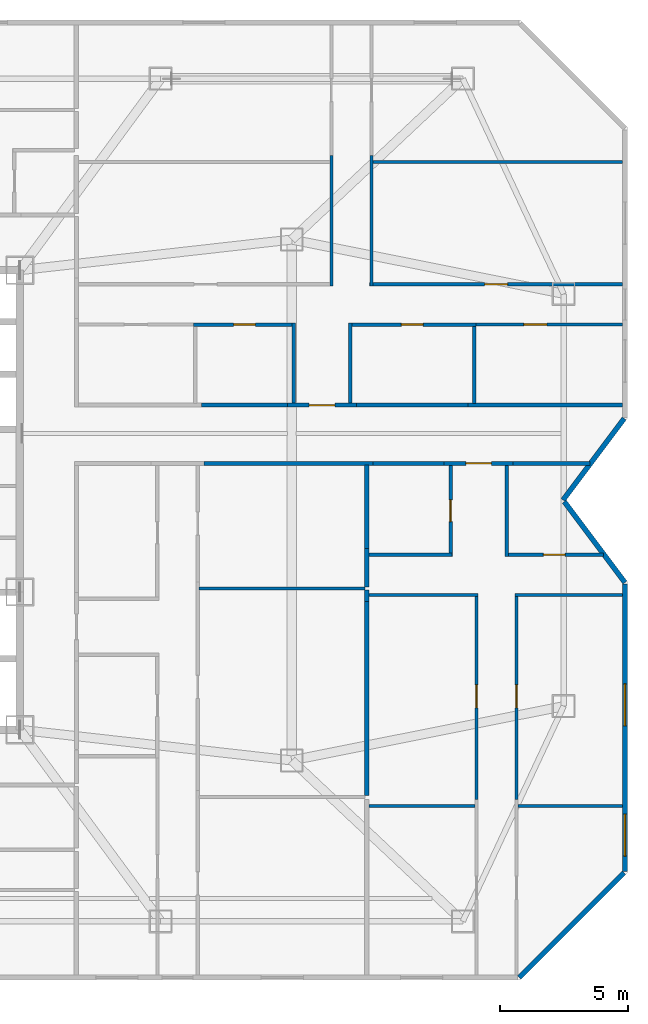
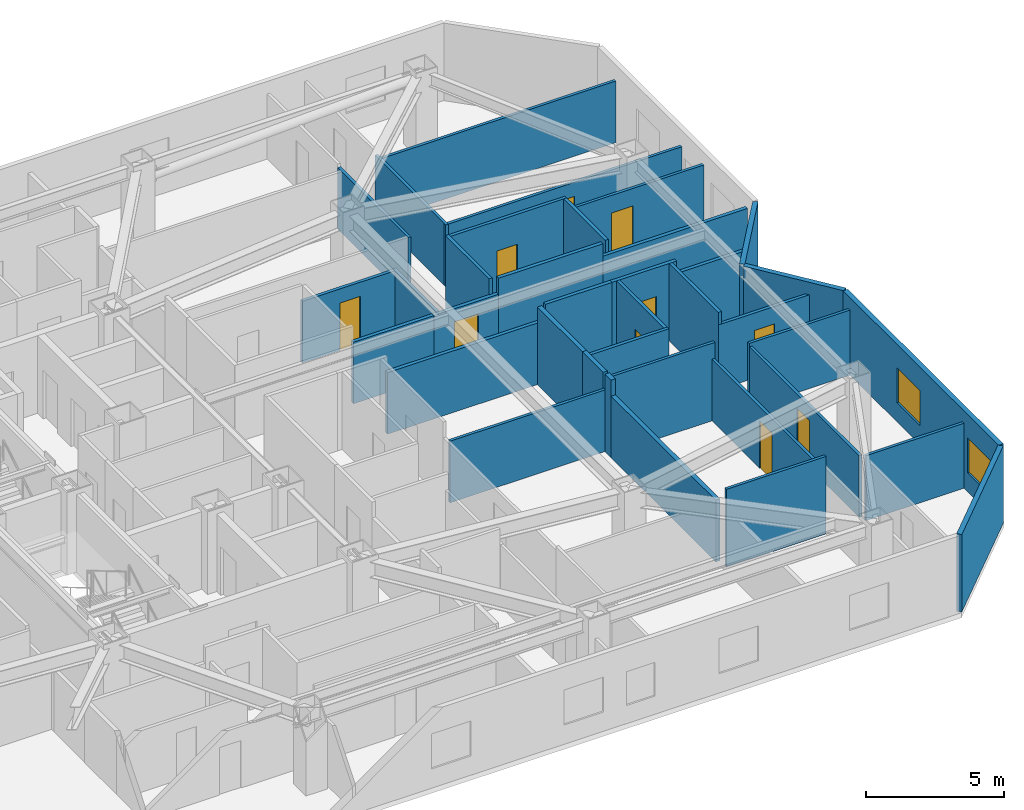
# One storey, part 9 of 11: 37 walls, 10 doors, 2 windows, 12 openings.
"""IFC4 building model written with IfcOpenShell, lengths in metres."""

from ifc_helpers import new_model, si_unit, direction, frame, frame_2d, origin, place, context, subcontext, project, spatial, rectangle, extrude, material, layer, layer_set, type_object, element, fill, save


model = new_model("IFC4")

# Units and contexts
model_context = context("Model", 3, precision=1e-05, world=origin(), true_north=direction((0.0, 1.0)))
body_context = subcontext(model_context, "Body", "Model", "MODEL_VIEW")
ifc_project = project(units=[si_unit("LENGTHUNIT", "METRE"), si_unit("AREAUNIT", "SQUARE_METRE"), si_unit("VOLUMEUNIT", "CUBIC_METRE"), si_unit("PLANEANGLEUNIT", "RADIAN"), si_unit("MASSUNIT", "GRAM", prefix="KILO")], contexts=[model_context])

# Site, building, storey
site_placement = place(None, origin())
site = spatial("IfcSite", under=ifc_project, at=site_placement, CompositionType="ELEMENT")
building_placement = place(site_placement, origin())
building = spatial("IfcBuilding", under=site, at=building_placement, Name="Khamvora Tower", CompositionType="ELEMENT")
storey_placement = place(building_placement, frame((0.0, 0.0, 174.14990234375)))
storey = spatial("IfcBuildingStorey", under=building, at=storey_placement, Name="L44", CompositionType="ELEMENT", Elevation=174.14990234375)

# Wall
ifc_material_1 = material(Name="Fire-Rated Drywall and Steel Stud", Category="steel")
ifc_layer_1 = layer(ifc_material_1, 0.14990234375)
ifc_layer_set_1 = layer_set([ifc_layer_1], Name="Fire-Rated Drywall and Steel Stud")
wall_type_1 = type_object("IfcWallType", Name="WAL-CORR-150", PredefinedType="STANDARD", material=ifc_layer_set_1)
wall_1_placement = place(storey_placement, frame((53.23388671875, 29.43505859375, 0.0), z_axis=(0.0, 0.0, 1.0), x_axis=(-1.0, 0.0, 0.0)))
element("IfcWall", 1, at=wall_1_placement, inside=storey, type_object=wall_type_1, Name="L44 interior partition wall 031", PredefinedType="STANDARD", context=body_context, shape_type="SweptSolid", body=[
    extrude(rectangle(XDim=6.616943359375, YDim=0.14990234375, at=frame_2d((3.30859375, 0.0))), origin(), (0.0, 0.0, 1.0), 2.72509765625),
])

# Wall, opening, door
wall_2_placement = place(storey_placement, frame((58.718994140625, 29.43505859375, 0.0), z_axis=(0.0, 0.0, 1.0), x_axis=(-1.0, 0.0, 0.0)))
wall_2 = element("IfcWall", 2, at=wall_2_placement, inside=storey, type_object=wall_type_1, Name="L44 interior partition wall 032", PredefinedType="STANDARD", context=body_context, shape_type="SweptSolid", body=[
    extrude(rectangle(XDim=2.697998046875, YDim=0.14990234375, at=frame_2d((1.34912109375, 0.0))), origin(), (0.0, 0.0, 1.0), 3.43017578125),
])
opening_1_placement = place(wall_2_placement, frame((0.84912109375, 0.0, 0.0)))
opening_1 = element("IfcOpeningElement", 3, at=opening_1_placement, cuts=wall_2, Name="Opening D-U1", PredefinedType="OPENING", context=body_context, shape_type="SweptSolid", body=[
    extrude(rectangle(XDim=1.0, YDim=2.14990234375, at=frame_2d((0.5, 1.074951171875))), frame((0.0, 0.0849609375, 0.0), z_axis=(0.0, -1.0, 0.0), x_axis=(1.0, 0.0, 0.0)), (0.0, 0.0, 1.0), 0.169921875),
])
ifc_material_2 = material(Name="Powder-Coated Steel and Hardwood Leaf", Category="steel")
door_type_1 = type_object("IfcDoorType", Name="DOR-UNIT-1000", OperationType="NOTDEFINED", PredefinedType="DOOR", material=ifc_material_2)
door_1_placement = place(opening_1_placement, origin())
door_1 = element("IfcDoor", 4, at=door_1_placement, inside=storey, type_object=door_type_1, Name="L44 interior door COR-44EBH", OperationType="SINGLE_SWING_LEFT", OverallHeight=2.14990234375, OverallWidth=1.0, PredefinedType="DOOR", context=body_context, shape_type="SweptSolid", body=[
    extrude(rectangle(XDim=1.0, YDim=2.14990234375, at=frame_2d((0.5, 1.074951171875))), frame((0.0, 0.02490234375, 0.0), z_axis=(0.0, -1.0, 0.0), x_axis=(1.0, 0.0, 0.0)), (0.0, 0.0, 1.0), 0.050048828125),
])
fill(opening_1, door_1)

# Walls
wall_3_placement = place(storey_placement, frame((61.72509765625, 29.43505859375, 0.0), z_axis=(0.0, 0.0, 1.0), x_axis=(-1.0, 0.0, 0.0)))
element("IfcWall", 5, at=wall_3_placement, inside=storey, type_object=wall_type_1, Name="L44 interior partition wall 033", PredefinedType="STANDARD", context=body_context, shape_type="SweptSolid", body=[
    extrude(rectangle(XDim=3.006103515625, YDim=0.14990234375, at=frame_2d((1.5029296875, 0.0))), origin(), (0.0, 0.0, 1.0), 2.8759765625),
])
wall_4_placement = place(storey_placement, frame((56.02099609375, 29.43505859375, 0.0), z_axis=(0.0, 0.0, 1.0), x_axis=(-1.0, 0.0, 0.0)))
element("IfcWall", 6, at=wall_4_placement, inside=storey, type_object=wall_type_1, Name="L44 interior partition wall 034", PredefinedType="STANDARD", context=body_context, shape_type="SweptSolid", body=[
    extrude(rectangle(XDim=2.787109375, YDim=0.14990234375, at=frame_2d((1.3935546875, 0.0))), origin(), (0.0, 0.0, 1.0), 3.43017578125),
])
wall_5_placement = place(storey_placement, frame((56.950927734375, 31.715087890625, 0.0), z_axis=(0.0, 0.0, 1.0), x_axis=(1.0, 0.0, 0.0)))
element("IfcWall", 7, at=wall_5_placement, inside=storey, type_object=wall_type_1, Name="L44 interior partition wall 037", PredefinedType="STANDARD", context=body_context, shape_type="SweptSolid", body=[
    extrude(rectangle(XDim=6.05712890625, YDim=0.14990234375, at=frame_2d((3.028564453125, 0.0))), origin(), (0.0, 0.0, 1.0), 2.8759765625),
])

# Wall, opening, door
wall_6_placement = place(storey_placement, frame((49.885986328125, 31.715087890625, 0.0), z_axis=(0.0, 0.0, 1.0), x_axis=(1.0, 0.0, 0.0)))
wall_6 = element("IfcWall", 8, at=wall_6_placement, inside=storey, type_object=wall_type_1, Name="L44 interior partition wall 039", PredefinedType="STANDARD", context=body_context, shape_type="SweptSolid", body=[
    extrude(rectangle(XDim=2.697998046875, YDim=0.14990234375, at=frame_2d((1.34912109375, 0.0))), origin(), (0.0, 0.0, 1.0), 2.72509765625),
])
opening_2_placement = place(wall_6_placement, frame((0.84912109375, 0.0, 0.0)))
opening_2 = element("IfcOpeningElement", 9, at=opening_2_placement, cuts=wall_6, Name="Opening D-U1", PredefinedType="OPENING", context=body_context, shape_type="SweptSolid", body=[
    extrude(rectangle(XDim=1.0, YDim=2.14990234375, at=frame_2d((0.5, 1.074951171875))), frame((0.0, 0.0849609375, 0.0), z_axis=(0.0, -1.0, 0.0), x_axis=(1.0, 0.0, 0.0)), (0.0, 0.0, 1.0), 0.169921875),
])
door_2_placement = place(opening_2_placement, origin())
door_2 = element("IfcDoor", 10, at=door_2_placement, inside=storey, type_object=door_type_1, Name="L44 interior door COR-44ECH", OperationType="SINGLE_SWING_RIGHT", OverallHeight=2.14990234375, OverallWidth=1.0, PredefinedType="DOOR", context=body_context, shape_type="SweptSolid", body=[
    extrude(rectangle(XDim=1.0, YDim=2.14990234375, at=frame_2d((0.5, 1.074951171875))), frame((0.0, 0.02490234375, 0.0), z_axis=(0.0, -1.0, 0.0), x_axis=(1.0, 0.0, 0.0)), (0.0, 0.0, 1.0), 0.050048828125),
])
fill(opening_2, door_2)

# Walls
wall_7_placement = place(storey_placement, frame((46.51904296875, 31.715087890625, 0.0), z_axis=(0.0, 0.0, 1.0), x_axis=(1.0, 0.0, 0.0)))
element("IfcWall", 11, at=wall_7_placement, inside=storey, type_object=wall_type_1, Name="L44 interior partition wall 040", PredefinedType="STANDARD", context=body_context, shape_type="SweptSolid", body=[
    extrude(rectangle(XDim=3.366943359375, YDim=0.14990234375, at=frame_2d((1.68359375, 0.0))), origin(), (0.0, 0.0, 1.0), 2.72509765625),
])
wall_8_placement = place(storey_placement, frame((52.583984375, 31.715087890625, 0.0), z_axis=(0.0, 0.0, 1.0), x_axis=(1.0, 0.0, 0.0)))
element("IfcWall", 12, at=wall_8_placement, inside=storey, type_object=wall_type_1, Name="L44 interior partition wall 041", PredefinedType="STANDARD", context=body_context, shape_type="SweptSolid", body=[
    extrude(rectangle(XDim=4.366943359375, YDim=0.14990234375, at=frame_2d((2.18359375, 0.0))), origin(), (0.0, 0.0, 1.0), 3.43017578125),
])
ifc_material_3 = material(Name="Acoustic Double-Stud Fire Wall", Category="gypsum")
ifc_layer_2 = layer(ifc_material_3, 0.179931640625)
ifc_layer_set_2 = layer_set([ifc_layer_2], Name="Acoustic Double-Stud Fire Wall")
wall_type_2 = type_object("IfcWallType", Name="WAL-CORR-180", PredefinedType="STANDARD", material=ifc_layer_set_2)
wall_9_placement = place(storey_placement, frame((52.985107421875, 24.470947265625, 0.0), z_axis=(0.0, 0.0, 1.0), x_axis=(0.0, -1.0, 0.0)))
element("IfcWall", 13, at=wall_9_placement, inside=storey, type_object=wall_type_2, Name="L44 interior partition wall 109", PredefinedType="STANDARD", context=body_context, shape_type="SweptSolid", body=[
    extrude(rectangle(XDim=0.445068359375, YDim=0.179931640625, at=frame_2d((0.22265625, 0.0))), origin(), (0.0, 0.0, 1.0), 3.43017578125),
])
wall_10_placement = place(storey_placement, frame((52.985107421875, 24.02587890625, 0.0), z_axis=(0.0, 0.0, 1.0), x_axis=(0.0, -1.0, 0.0)))
element("IfcWall", 14, at=wall_10_placement, inside=storey, type_object=wall_type_2, Name="L44 interior partition wall 110", PredefinedType="STANDARD", context=body_context, shape_type="SweptSolid", body=[
    extrude(rectangle(XDim=7.593994140625, YDim=0.179931640625, at=frame_2d((3.796875, 0.0))), origin(), (0.0, 0.0, 1.0), 2.72509765625),
])
wall_11_placement = place(storey_placement, frame((52.985107421875, 26.10400390625, 0.0), z_axis=(0.0, 0.0, 1.0), x_axis=(0.0, -1.0, 0.0)))
element("IfcWall", 15, at=wall_11_placement, inside=storey, type_object=wall_type_2, Name="L44 interior partition wall 111", PredefinedType="STANDARD", context=body_context, shape_type="SweptSolid", body=[
    extrude(rectangle(XDim=1.5029296875, YDim=0.179931640625, at=frame_2d((0.75146484375, 0.0))), origin(), (0.0, 0.0, 1.0), 3.43017578125),
])
wall_12_placement = place(storey_placement, frame((52.985107421875, 29.367919921875, 0.0), z_axis=(0.0, 0.0, 1.0), x_axis=(0.0, -1.0, 0.0)))
element("IfcWall", 16, at=wall_12_placement, inside=storey, type_object=wall_type_2, Name="L44 interior partition wall 112", PredefinedType="STANDARD", context=body_context, shape_type="SweptSolid", body=[
    extrude(rectangle(XDim=3.263916015625, YDim=0.179931640625, at=frame_2d((1.6318359375, 0.0))), origin(), (0.0, 0.0, 1.0), 3.43017578125),
])
ifc_material_4 = material(Name="Precast concrete C40/50", Category="concrete")
ifc_layer_3 = layer(ifc_material_4, 0.199951171875)
ifc_layer_set_3 = layer_set([ifc_layer_3], Name="Precast concrete C40/50")
wall_type_3 = type_object("IfcWallType", Name="WAL-EXT-200", PredefinedType="STANDARD", material=ifc_layer_set_3)
wall_13_placement = place(storey_placement, frame((63.069091796875, 31.19091796875, 0.0), z_axis=(0.0, 0.0, 1.0), x_axis=(-0.600137081448, -0.799897170561, 0.0)))
element("IfcWall", 17, at=wall_13_placement, inside=storey, type_object=wall_type_3, Name="L44 exterior facade wall 10.1", PredefinedType="STANDARD", context=body_context, shape_type="SweptSolid", body=[
    extrude(rectangle(XDim=3.9892578125, YDim=0.199951171875, at=frame_2d((1.99462890625, 0.0))), origin(), (0.0, 0.0, 1.0), 3.43017578125),
])
wall_14_placement = place(storey_placement, frame((60.72705078125, 27.930908203125, 0.0), z_axis=(0.0, 0.0, 1.0), x_axis=(0.600029630681, -0.799977776132, 0.0)))
element("IfcWall", 18, at=wall_14_placement, inside=storey, type_object=wall_type_3, Name="L44 exterior facade wall 11.1", PredefinedType="STANDARD", context=body_context, shape_type="SweptSolid", body=[
    extrude(rectangle(XDim=3.954833984375, YDim=0.199951171875, at=frame_2d((1.9775390625, 0.0))), origin(), (0.0, 0.0, 1.0), 3.43017578125),
])

# Wall, openings, windows
wall_15_placement = place(storey_placement, frame((63.10009765625, 24.717041015625, 0.0), z_axis=(0.0, 0.0, 1.0), x_axis=(0.0, -1.0, 0.0)))
wall_15 = element("IfcWall", 19, at=wall_15_placement, inside=storey, type_object=wall_type_3, Name="L44 exterior facade wall 12.1", PredefinedType="STANDARD", context=body_context, shape_type="SweptSolid", body=[
    extrude(rectangle(XDim=11.276123046875, YDim=0.199951171875, at=frame_2d((5.63818359375, 0.0))), origin(), (0.0, 0.0, 1.0), 3.43017578125),
])
opening_3_placement = place(wall_15_placement, frame((9.01806640625, 0.0, 0.85009765625)))
opening_3 = element("IfcOpeningElement", 20, at=opening_3_placement, cuts=wall_15, Name="Opening WN-06", PredefinedType="OPENING", context=body_context, shape_type="SweptSolid", body=[
    extrude(rectangle(XDim=1.64990234375, YDim=1.550048828125, at=frame_2d((0.824951171875, 0.77490234375))), frame((0.0, 0.10986328125, 0.0), z_axis=(0.0, -1.0, 0.0), x_axis=(1.0, 0.0, 0.0)), (0.0, 0.0, 1.0), 0.219970703125),
])
opening_4_placement = place(wall_15_placement, frame((3.9150390625, 0.0, 0.85009765625)))
opening_4 = element("IfcOpeningElement", 21, at=opening_4_placement, cuts=wall_15, Name="Opening WN-06", PredefinedType="OPENING", context=body_context, shape_type="SweptSolid", body=[
    extrude(rectangle(XDim=1.64990234375, YDim=1.550048828125, at=frame_2d((0.824951171875, 0.77490234375))), frame((0.0, 0.10986328125, 0.0), z_axis=(0.0, -1.0, 0.0), x_axis=(1.0, 0.0, 0.0)), (0.0, 0.0, 1.0), 0.219970703125),
])
ifc_material_5 = material(Name="Low-E Laminated Double Glazing", Category="glass")
window_type = type_object("IfcWindowType", Name="WIN-VIS-1650x1550", PartitioningType="SINGLE_PANEL", PredefinedType="WINDOW", material=ifc_material_5)
window_1_placement = place(opening_3_placement, origin())
window_1 = element("IfcWindow", 22, at=window_1_placement, inside=storey, type_object=window_type, Name="L44 vision window 12.1.01", OverallHeight=1.550048828125, OverallWidth=1.64990234375, PartitioningType="SINGLE_PANEL", PredefinedType="WINDOW", context=body_context, shape_type="SweptSolid", body=[
    extrude(rectangle(XDim=1.64990234375, YDim=1.550048828125, at=frame_2d((0.824951171875, 0.77490234375))), frame((0.0, 0.030029296875, 0.0), z_axis=(0.0, -1.0, 0.0), x_axis=(1.0, 0.0, 0.0)), (0.0, 0.0, 1.0), 0.06005859375),
])
fill(opening_3, window_1)
window_2_placement = place(opening_4_placement, origin())
window_2 = element("IfcWindow", 23, at=window_2_placement, inside=storey, type_object=window_type, Name="L44 vision window 12.1.02", OverallHeight=1.550048828125, OverallWidth=1.64990234375, PartitioningType="SINGLE_PANEL", PredefinedType="WINDOW", context=body_context, shape_type="SweptSolid", body=[
    extrude(rectangle(XDim=1.64990234375, YDim=1.550048828125, at=frame_2d((0.824951171875, 0.77490234375))), frame((0.0, 0.030029296875, 0.0), z_axis=(0.0, -1.0, 0.0), x_axis=(1.0, 0.0, 0.0)), (0.0, 0.0, 1.0), 0.06005859375),
])
fill(opening_4, window_2)

# Walls
wall_16_placement = place(storey_placement, frame((63.056884765625, 13.39794921875, 0.0), z_axis=(0.0, 0.0, 1.0), x_axis=(-0.707106781187, -0.707106781187, 0.0)))
element("IfcWall", 24, at=wall_16_placement, inside=storey, type_object=wall_type_3, Name="L44 exterior facade wall 13.1", PredefinedType="STANDARD", context=body_context, shape_type="SweptSolid", body=[
    extrude(rectangle(XDim=5.79541015625, YDim=0.199951171875, at=frame_2d((2.897705078125, 0.0))), origin(), (0.0, 0.0, 1.0), 3.43017578125),
])
ifc_material_6 = material(Name="Gypsum Plasterboard Partition", Category="gypsum")
ifc_layer_4 = layer(ifc_material_6, 0.1201171875)
ifc_layer_set_4 = layer_set([ifc_layer_4], Name="Gypsum Plasterboard Partition")
wall_type_4 = type_object("IfcWallType", Name="WAL-PART-120", PredefinedType="PARTITIONING", material=ifc_layer_set_4)
wall_17_placement = place(storey_placement, frame((46.422119140625, 24.535888671875, 0.0), z_axis=(0.0, 0.0, 1.0), x_axis=(1.0, 0.0, 0.0)))
element("IfcWall", 25, at=wall_17_placement, inside=storey, type_object=wall_type_4, Name="L44 interior partition wall 108", PredefinedType="PARTITIONING", context=body_context, shape_type="SweptSolid", body=[
    extrude(rectangle(XDim=6.497802734375, YDim=0.1201171875, at=frame_2d((3.2490234375, 0.0))), origin(), (0.0, 0.0, 1.0), 2.72509765625),
])

# Wall, opening, door
wall_18_placement = place(storey_placement, frame((57.284912109375, 16.27099609375, 0.0), z_axis=(0.0, 0.0, 1.0), x_axis=(0.0, 1.0, 0.0)))
wall_18 = element("IfcWall", 26, at=wall_18_placement, inside=storey, type_object=wall_type_4, Name="L44 interior partition wall 118", PredefinedType="PARTITIONING", context=body_context, shape_type="SweptSolid", body=[
    extrude(rectangle(XDim=8.069091796875, YDim=0.1201171875, at=frame_2d((4.03466796875, 0.0))), origin(), (0.0, 0.0, 1.0), 2.72509765625),
])
opening_5_placement = place(wall_18_placement, frame((3.5849609375, 0.0, 0.0)))
opening_5 = element("IfcOpeningElement", 27, at=opening_5_placement, cuts=wall_18, Name="Opening D-RM1", PredefinedType="OPENING", context=body_context, shape_type="SweptSolid", body=[
    extrude(rectangle(XDim=0.89990234375, YDim=2.10009765625, at=frame_2d((0.449951171875, 1.050048828125))), frame((0.0, 0.070068359375, 0.0), z_axis=(0.0, -1.0, 0.0), x_axis=(1.0, 0.0, 0.0)), (0.0, 0.0, 1.0), 0.14013671875),
])
door_type_2 = type_object("IfcDoorType", Name="DOR-ROOM-900", OperationType="NOTDEFINED", PredefinedType="DOOR", material=ifc_material_2)
door_3_placement = place(opening_5_placement, origin())
door_3 = element("IfcDoor", 28, at=door_3_placement, inside=storey, type_object=door_type_2, Name="L44 interior door 44EBH-44EBR2", OperationType="SINGLE_SWING_LEFT", OverallHeight=2.10009765625, OverallWidth=0.89990234375, PredefinedType="DOOR", context=body_context, shape_type="SweptSolid", body=[
    extrude(rectangle(XDim=0.89990234375, YDim=2.10009765625, at=frame_2d((0.449951171875, 1.050048828125))), frame((0.0, 0.02490234375, 0.0), z_axis=(0.0, -1.0, 0.0), x_axis=(1.0, 0.0, 0.0)), (0.0, 0.0, 1.0), 0.050048828125),
])
fill(opening_5, door_3)

# Wall
wall_19_placement = place(storey_placement, frame((57.35009765625, 24.27490234375, 0.0), z_axis=(0.0, 0.0, 1.0), x_axis=(-1.0, 0.0, 0.0)))
element("IfcWall", 29, at=wall_19_placement, inside=storey, type_object=wall_type_4, Name="L44 interior partition wall 119", PredefinedType="PARTITIONING", context=body_context, shape_type="SweptSolid", body=[
    extrude(rectangle(XDim=4.283203125, YDim=0.1201171875, at=frame_2d((2.1416015625, 0.0))), origin(), (0.0, 0.0, 1.0), 3.43017578125),
])

# Wall, opening, door
wall_20_placement = place(storey_placement, frame((58.85498046875, 24.340087890625, 0.0), z_axis=(0.0, 0.0, 1.0), x_axis=(0.0, -1.0, 0.0)))
wall_20 = element("IfcWall", 30, at=wall_20_placement, inside=storey, type_object=wall_type_4, Name="L44 interior partition wall 121", PredefinedType="PARTITIONING", context=body_context, shape_type="SweptSolid", body=[
    extrude(rectangle(XDim=8.069091796875, YDim=0.1201171875, at=frame_2d((4.03466796875, 0.0))), origin(), (0.0, 0.0, 1.0), 2.72509765625),
])
opening_6_placement = place(wall_20_placement, frame((3.5849609375, 0.0, 0.0)))
opening_6 = element("IfcOpeningElement", 31, at=opening_6_placement, cuts=wall_20, Name="Opening D-RM1", PredefinedType="OPENING", context=body_context, shape_type="SweptSolid", body=[
    extrude(rectangle(XDim=0.89990234375, YDim=2.10009765625, at=frame_2d((0.449951171875, 1.050048828125))), frame((0.0, 0.070068359375, 0.0), z_axis=(0.0, -1.0, 0.0), x_axis=(1.0, 0.0, 0.0)), (0.0, 0.0, 1.0), 0.14013671875),
])
door_4_placement = place(opening_6_placement, origin())
door_4 = element("IfcDoor", 32, at=door_4_placement, inside=storey, type_object=door_type_2, Name="L44 interior door 44EBH-44EBR4", OperationType="SINGLE_SWING_LEFT", OverallHeight=2.10009765625, OverallWidth=0.89990234375, PredefinedType="DOOR", context=body_context, shape_type="SweptSolid", body=[
    extrude(rectangle(XDim=0.89990234375, YDim=2.10009765625, at=frame_2d((0.449951171875, 1.050048828125))), frame((0.0, 0.02490234375, 0.0), z_axis=(0.0, -1.0, 0.0), x_axis=(1.0, 0.0, 0.0)), (0.0, 0.0, 1.0), 0.050048828125),
])
fill(opening_6, door_4)

# Walls
wall_21_placement = place(storey_placement, frame((63.008056640625, 24.27490234375, 0.0), z_axis=(0.0, 0.0, 1.0), x_axis=(-1.0, 0.0, 0.0)))
element("IfcWall", 33, at=wall_21_placement, inside=storey, type_object=wall_type_4, Name="L44 interior partition wall 122", PredefinedType="PARTITIONING", context=body_context, shape_type="SweptSolid", body=[
    extrude(rectangle(XDim=4.218017578125, YDim=0.1201171875, at=frame_2d((2.10888671875, 0.0))), origin(), (0.0, 0.0, 1.0), 2.8759765625),
])
wall_22_placement = place(storey_placement, frame((53.06689453125, 16.02197265625, 0.0), z_axis=(0.0, 0.0, 1.0), x_axis=(1.0, 0.0, 0.0)))
element("IfcWall", 34, at=wall_22_placement, inside=storey, type_object=wall_type_4, Name="L44 interior partition wall 123", PredefinedType="PARTITIONING", context=body_context, shape_type="SweptSolid", body=[
    extrude(rectangle(XDim=4.1640625, YDim=0.1201171875, at=frame_2d((2.08203125, 0.0))), origin(), (0.0, 0.0, 1.0), 3.43017578125),
])
wall_23_placement = place(storey_placement, frame((58.908935546875, 16.02197265625, 0.0), z_axis=(0.0, 0.0, 1.0), x_axis=(1.0, 0.0, 0.0)))
element("IfcWall", 35, at=wall_23_placement, inside=storey, type_object=wall_type_4, Name="L44 interior partition wall 124", PredefinedType="PARTITIONING", context=body_context, shape_type="SweptSolid", body=[
    extrude(rectangle(XDim=4.09912109375, YDim=0.1201171875, at=frame_2d((2.049560546875, 0.0))), origin(), (0.0, 0.0, 1.0), 2.8759765625),
])

# Wall, opening, door
wall_24_placement = place(storey_placement, frame((57.264892578125, 34.868896484375, 0.0), z_axis=(0.0, 0.0, 1.0), x_axis=(1.0, 0.0, 0.0)))
wall_24 = element("IfcWall", 36, at=wall_24_placement, inside=storey, type_object=wall_type_4, Name="L44 interior partition wall 127", PredefinedType="PARTITIONING", context=body_context, shape_type="SweptSolid", body=[
    extrude(rectangle(XDim=5.7431640625, YDim=0.1201171875, at=frame_2d((2.87158203125, 0.0))), origin(), (0.0, 0.0, 1.0), 2.8759765625),
])
opening_7_placement = place(wall_24_placement, frame((1.8779296875, 0.0, 0.0)))
opening_7 = element("IfcOpeningElement", 37, at=opening_7_placement, cuts=wall_24, Name="Opening D-RM1", PredefinedType="OPENING", context=body_context, shape_type="SweptSolid", body=[
    extrude(rectangle(XDim=0.89990234375, YDim=2.10009765625, at=frame_2d((0.449951171875, 1.050048828125))), frame((0.0, 0.070068359375, 0.0), z_axis=(0.0, -1.0, 0.0), x_axis=(1.0, 0.0, 0.0)), (0.0, 0.0, 1.0), 0.14013671875),
])
door_5_placement = place(opening_7_placement, origin())
door_5 = element("IfcDoor", 38, at=door_5_placement, inside=storey, type_object=door_type_2, Name="L44 interior door 44ECW2-44ECH", OperationType="SINGLE_SWING_LEFT", OverallHeight=2.10009765625, OverallWidth=0.89990234375, PredefinedType="DOOR", context=body_context, shape_type="SweptSolid", body=[
    extrude(rectangle(XDim=0.89990234375, YDim=2.10009765625, at=frame_2d((0.449951171875, 1.050048828125))), frame((0.0, 0.02490234375, 0.0), z_axis=(0.0, -1.0, 0.0), x_axis=(1.0, 0.0, 0.0)), (0.0, 0.0, 1.0), 0.050048828125),
])
fill(opening_7, door_5)

# Walls
for number, where, z_axis, x_axis, name in (
    (39, (51.60009765625, 36.384033203125, 0.0), (0.0, 0.0, 1.0), (0.0, 1.0, 0.0), "L44 interior partition wall 134"),
    (40, (53.169921875, 41.489990234375, 0.0), (0.0, 0.0, 1.0), (0.0, -1.0, 0.0), "L44 interior partition wall 136"),
):
    element("IfcWall", number, at=place(storey_placement, frame(where, z_axis=z_axis, x_axis=x_axis)), inside=storey, type_object=wall_type_4, Name=name, PredefinedType="PARTITIONING", context=body_context, shape_type="SweptSolid", body=[
        extrude(rectangle(XDim=5.10595703125, YDim=0.1201171875, at=frame_2d((2.552978515625, 0.0))), origin(), (0.0, 0.0, 1.0), 2.72509765625),
    ])

# Wall, opening, door
wall_25_placement = place(storey_placement, frame((53.10498046875, 36.448974609375, 0.0), z_axis=(0.0, 0.0, 1.0), x_axis=(1.0, 0.0, 0.0)))
wall_25 = element("IfcWall", 41, at=wall_25_placement, inside=storey, type_object=wall_type_4, Name="L44 interior partition wall 137", PredefinedType="PARTITIONING", context=body_context, shape_type="SweptSolid", body=[
    extrude(rectangle(XDim=9.903076171875, YDim=0.1201171875, at=frame_2d((4.95166015625, 0.0))), origin(), (0.0, 0.0, 1.0), 2.72509765625),
])
opening_8_placement = place(wall_25_placement, frame((4.501953125, 0.0, 0.0)))
opening_8 = element("IfcOpeningElement", 42, at=opening_8_placement, cuts=wall_25, Name="Opening D-RM1", PredefinedType="OPENING", context=body_context, shape_type="SweptSolid", body=[
    extrude(rectangle(XDim=0.89990234375, YDim=2.10009765625, at=frame_2d((0.449951171875, 1.050048828125))), frame((0.0, 0.070068359375, 0.0), z_axis=(0.0, -1.0, 0.0), x_axis=(1.0, 0.0, 0.0)), (0.0, 0.0, 1.0), 0.14013671875),
])
door_6_placement = place(opening_8_placement, origin())
door_6 = element("IfcDoor", 43, at=door_6_placement, inside=storey, type_object=door_type_2, Name="L44 interior door 44ECH-44ECR3", OperationType="SINGLE_SWING_LEFT", OverallHeight=2.10009765625, OverallWidth=0.89990234375, PredefinedType="DOOR", context=body_context, shape_type="SweptSolid", body=[
    extrude(rectangle(XDim=0.89990234375, YDim=2.10009765625, at=frame_2d((0.449951171875, 1.050048828125))), frame((0.0, 0.02490234375, 0.0), z_axis=(0.0, -1.0, 0.0), x_axis=(1.0, 0.0, 0.0)), (0.0, 0.0, 1.0), 0.050048828125),
])
fill(opening_8, door_6)

# Walls
wall_26_placement = place(storey_placement, frame((53.22412109375, 41.240966796875, 0.0), z_axis=(0.0, 0.0, 1.0), x_axis=(1.0, 0.0, 0.0)))
element("IfcWall", 44, at=wall_26_placement, inside=storey, type_object=wall_type_4, Name="L44 interior partition wall 140", PredefinedType="PARTITIONING", context=body_context, shape_type="SweptSolid", body=[
    extrude(rectangle(XDim=9.783935546875, YDim=0.1201171875, at=frame_2d((4.89208984375, 0.0))), origin(), (0.0, 0.0, 1.0), 2.72509765625),
])
ifc_material_7 = material(Name="Moisture-Resistant Plasterboard Partition", Category="gypsum")
ifc_layer_5 = layer(ifc_material_7, 0.135009765625)
ifc_layer_set_5 = layer_set([ifc_layer_5], Name="Moisture-Resistant Plasterboard Partition")
wall_type_5 = type_object("IfcWallType", Name="WAL-WET-135", PredefinedType="PARTITIONING", material=ifc_layer_set_5)
wall_27_placement = place(storey_placement, frame((58.469970703125, 29.367919921875, 0.0), z_axis=(0.0, 0.0, 1.0), x_axis=(0.0, -1.0, 0.0)))
element("IfcWall", 45, at=wall_27_placement, inside=storey, type_object=wall_type_5, Name="L44 interior partition wall 113", PredefinedType="PARTITIONING", context=body_context, shape_type="SweptSolid", body=[
    extrude(rectangle(XDim=3.577880859375, YDim=0.135009765625, at=frame_2d((1.7890625, 0.0))), origin(), (0.0, 0.0, 1.0), 3.43017578125),
])

# Wall, opening, door
wall_28_placement = place(storey_placement, frame((58.405029296875, 25.85498046875, 0.0), z_axis=(0.0, 0.0, 1.0), x_axis=(1.0, 0.0, 0.0)))
wall_28 = element("IfcWall", 46, at=wall_28_placement, inside=storey, type_object=wall_type_5, Name="L44 interior partition wall 114", PredefinedType="PARTITIONING", context=body_context, shape_type="SweptSolid", body=[
    extrude(rectangle(XDim=3.85205078125, YDim=0.135009765625, at=frame_2d((1.926025390625, 0.0))), origin(), (0.0, 0.0, 1.0), 2.8759765625),
])
opening_9_placement = place(wall_28_placement, frame((1.5009765625, 0.0, 0.0)))
opening_9 = element("IfcOpeningElement", 47, at=opening_9_placement, cuts=wall_28, Name="Opening D-WC1", PredefinedType="OPENING", context=body_context, shape_type="SweptSolid", body=[
    extrude(rectangle(XDim=0.85009765625, YDim=2.10009765625, at=frame_2d((0.425048828125, 1.050048828125))), frame((0.0, 0.077392578125, 0.0), z_axis=(0.0, -1.0, 0.0), x_axis=(1.0, 0.0, 0.0)), (0.0, 0.0, 1.0), 0.155029296875),
])
door_type_3 = type_object("IfcDoorType", Name="DOR-WET-850", OperationType="NOTDEFINED", PredefinedType="DOOR", material=ifc_material_2)
door_7_placement = place(opening_9_placement, origin())
door_7 = element("IfcDoor", 48, at=door_7_placement, inside=storey, type_object=door_type_3, Name="L44 interior door 44EBH-44EBB", OperationType="SINGLE_SWING_RIGHT", OverallHeight=2.10009765625, OverallWidth=0.85009765625, PredefinedType="DOOR", context=body_context, shape_type="SweptSolid", body=[
    extrude(rectangle(XDim=0.85009765625, YDim=2.10009765625, at=frame_2d((0.425048828125, 1.050048828125))), frame((0.0, 0.02490234375, 0.0), z_axis=(0.0, -1.0, 0.0), x_axis=(1.0, 0.0, 0.0)), (0.0, 0.0, 1.0), 0.050048828125),
])
fill(opening_9, door_7)

# Wall
wall_29_placement = place(storey_placement, frame((53.06689453125, 25.85498046875, 0.0), z_axis=(0.0, 0.0, 1.0), x_axis=(1.0, 0.0, 0.0)))
element("IfcWall", 49, at=wall_29_placement, inside=storey, type_object=wall_type_5, Name="L44 interior partition wall 115", PredefinedType="PARTITIONING", context=body_context, shape_type="SweptSolid", body=[
    extrude(rectangle(XDim=3.26806640625, YDim=0.135009765625, at=frame_2d((1.634033203125, 0.0))), origin(), (0.0, 0.0, 1.0), 3.43017578125),
])

# Wall, opening, door
wall_30_placement = place(storey_placement, frame((56.27001953125, 25.7900390625, 0.0), z_axis=(0.0, 0.0, 1.0), x_axis=(0.0, 1.0, 0.0)))
wall_30 = element("IfcWall", 50, at=wall_30_placement, inside=storey, type_object=wall_type_5, Name="L44 interior partition wall 116", PredefinedType="PARTITIONING", context=body_context, shape_type="SweptSolid", body=[
    extrude(rectangle(XDim=3.577880859375, YDim=0.135009765625, at=frame_2d((1.7890625, 0.0))), origin(), (0.0, 0.0, 1.0), 3.43017578125),
])
opening_10_placement = place(wall_30_placement, frame((1.364013671875, 0.0, 0.0)))
opening_10 = element("IfcOpeningElement", 51, at=opening_10_placement, cuts=wall_30, Name="Opening D-RM2", PredefinedType="OPENING", context=body_context, shape_type="SweptSolid", body=[
    extrude(rectangle(XDim=0.85009765625, YDim=2.10009765625, at=frame_2d((0.425048828125, 1.050048828125))), frame((0.0, 0.077392578125, 0.0), z_axis=(0.0, -1.0, 0.0), x_axis=(1.0, 0.0, 0.0)), (0.0, 0.0, 1.0), 0.155029296875),
])
door_type_4 = type_object("IfcDoorType", Name="DOR-ROOM-850", OperationType="NOTDEFINED", PredefinedType="DOOR", material=ifc_material_2)
door_8_placement = place(opening_10_placement, origin())
door_8 = element("IfcDoor", 52, at=door_8_placement, inside=storey, type_object=door_type_4, Name="L44 interior door 44EBH-44EBK", OperationType="SINGLE_SWING_LEFT", OverallHeight=2.10009765625, OverallWidth=0.85009765625, PredefinedType="DOOR", context=body_context, shape_type="SweptSolid", body=[
    extrude(rectangle(XDim=0.85009765625, YDim=2.10009765625, at=frame_2d((0.425048828125, 1.050048828125))), frame((0.0, 0.02490234375, 0.0), z_axis=(0.0, -1.0, 0.0), x_axis=(1.0, 0.0, 0.0)), (0.0, 0.0, 1.0), 0.050048828125),
])
fill(opening_10, door_8)

# Walls
wall_31_placement = place(storey_placement, frame((57.199951171875, 31.780029296875, 0.0), z_axis=(0.0, 0.0, 1.0), x_axis=(0.0, 1.0, 0.0)))
element("IfcWall", 53, at=wall_31_placement, inside=storey, type_object=wall_type_5, Name="L44 interior partition wall 128", PredefinedType="PARTITIONING", context=body_context, shape_type="SweptSolid", body=[
    extrude(rectangle(XDim=3.02392578125, YDim=0.135009765625, at=frame_2d((1.511962890625, 0.0))), origin(), (0.0, 0.0, 1.0), 3.43017578125),
])
wall_32_placement = place(storey_placement, frame((50.135009765625, 31.780029296875, 0.0), z_axis=(0.0, 0.0, 1.0), x_axis=(0.0, 1.0, 0.0)))
element("IfcWall", 54, at=wall_32_placement, inside=storey, type_object=wall_type_5, Name="L44 interior partition wall 129", PredefinedType="PARTITIONING", context=body_context, shape_type="SweptSolid", body=[
    extrude(rectangle(XDim=3.154052734375, YDim=0.135009765625, at=frame_2d((1.5771484375, 0.0))), origin(), (0.0, 0.0, 1.0), 2.72509765625),
])

# Wall, opening, door
wall_33_placement = place(storey_placement, frame((50.199951171875, 34.868896484375, 0.0), z_axis=(0.0, 0.0, 1.0), x_axis=(-1.0, 0.0, 0.0)))
wall_33 = element("IfcWall", 55, at=wall_33_placement, inside=storey, type_object=wall_type_5, Name="L44 interior partition wall 130", PredefinedType="PARTITIONING", context=body_context, shape_type="SweptSolid", body=[
    extrude(rectangle(XDim=3.994873046875, YDim=0.135009765625, at=frame_2d((1.99755859375, 0.0))), origin(), (0.0, 0.0, 1.0), 2.72509765625),
])
opening_11_placement = place(wall_33_placement, frame((1.572998046875, 0.0, 0.0)))
opening_11 = element("IfcOpeningElement", 56, at=opening_11_placement, cuts=wall_33, Name="Opening D-WC1", PredefinedType="OPENING", context=body_context, shape_type="SweptSolid", body=[
    extrude(rectangle(XDim=0.85009765625, YDim=2.10009765625, at=frame_2d((0.425048828125, 1.050048828125))), frame((0.0, 0.077392578125, 0.0), z_axis=(0.0, -1.0, 0.0), x_axis=(1.0, 0.0, 0.0)), (0.0, 0.0, 1.0), 0.155029296875),
])
door_9_placement = place(opening_11_placement, origin())
door_9 = element("IfcDoor", 57, at=door_9_placement, inside=storey, type_object=door_type_3, Name="L44 interior door 44ECH-44ECB", OperationType="SINGLE_SWING_LEFT", OverallHeight=2.10009765625, OverallWidth=0.85009765625, PredefinedType="DOOR", context=body_context, shape_type="SweptSolid", body=[
    extrude(rectangle(XDim=0.85009765625, YDim=2.10009765625, at=frame_2d((0.425048828125, 1.050048828125))), frame((0.0, 0.02490234375, 0.0), z_axis=(0.0, -1.0, 0.0), x_axis=(1.0, 0.0, 0.0)), (0.0, 0.0, 1.0), 0.050048828125),
])
fill(opening_11, door_9)

wall_34_placement = place(storey_placement, frame((57.264892578125, 34.868896484375, 0.0), z_axis=(0.0, 0.0, 1.0), x_axis=(-1.0, 0.0, 0.0)))
wall_34 = element("IfcWall", 58, at=wall_34_placement, inside=storey, type_object=wall_type_5, Name="L44 interior partition wall 131", PredefinedType="PARTITIONING", context=body_context, shape_type="SweptSolid", body=[
    extrude(rectangle(XDim=4.994873046875, YDim=0.135009765625, at=frame_2d((2.49755859375, 0.0))), origin(), (0.0, 0.0, 1.0), 3.43017578125),
])
opening_12_placement = place(wall_34_placement, frame((2.072998046875, 0.0, 0.0)))
opening_12 = element("IfcOpeningElement", 59, at=opening_12_placement, cuts=wall_34, Name="Opening D-RM2", PredefinedType="OPENING", context=body_context, shape_type="SweptSolid", body=[
    extrude(rectangle(XDim=0.85009765625, YDim=2.10009765625, at=frame_2d((0.425048828125, 1.050048828125))), frame((0.0, 0.077392578125, 0.0), z_axis=(0.0, -1.0, 0.0), x_axis=(1.0, 0.0, 0.0)), (0.0, 0.0, 1.0), 0.155029296875),
])
door_10_placement = place(opening_12_placement, origin())
door_10 = element("IfcDoor", 60, at=door_10_placement, inside=storey, type_object=door_type_4, Name="L44 interior door 44ECH-44ECK", OperationType="SINGLE_SWING_RIGHT", OverallHeight=2.10009765625, OverallWidth=0.85009765625, PredefinedType="DOOR", context=body_context, shape_type="SweptSolid", body=[
    extrude(rectangle(XDim=0.85009765625, YDim=2.10009765625, at=frame_2d((0.425048828125, 1.050048828125))), frame((0.0, 0.02490234375, 0.0), z_axis=(0.0, -1.0, 0.0), x_axis=(1.0, 0.0, 0.0)), (0.0, 0.0, 1.0), 0.050048828125),
])
fill(opening_12, door_10)

# Wall
wall_35_placement = place(storey_placement, frame((52.3349609375, 34.93408203125, 0.0), z_axis=(0.0, 0.0, 1.0), x_axis=(0.0, -1.0, 0.0)))
element("IfcWall", 61, at=wall_35_placement, inside=storey, type_object=wall_type_5, Name="L44 interior partition wall 132", PredefinedType="PARTITIONING", context=body_context, shape_type="SweptSolid", body=[
    extrude(rectangle(XDim=3.154052734375, YDim=0.135009765625, at=frame_2d((1.5771484375, 0.0))), origin(), (0.0, 0.0, 1.0), 3.43017578125),
])

save(model, "model.ifc")
